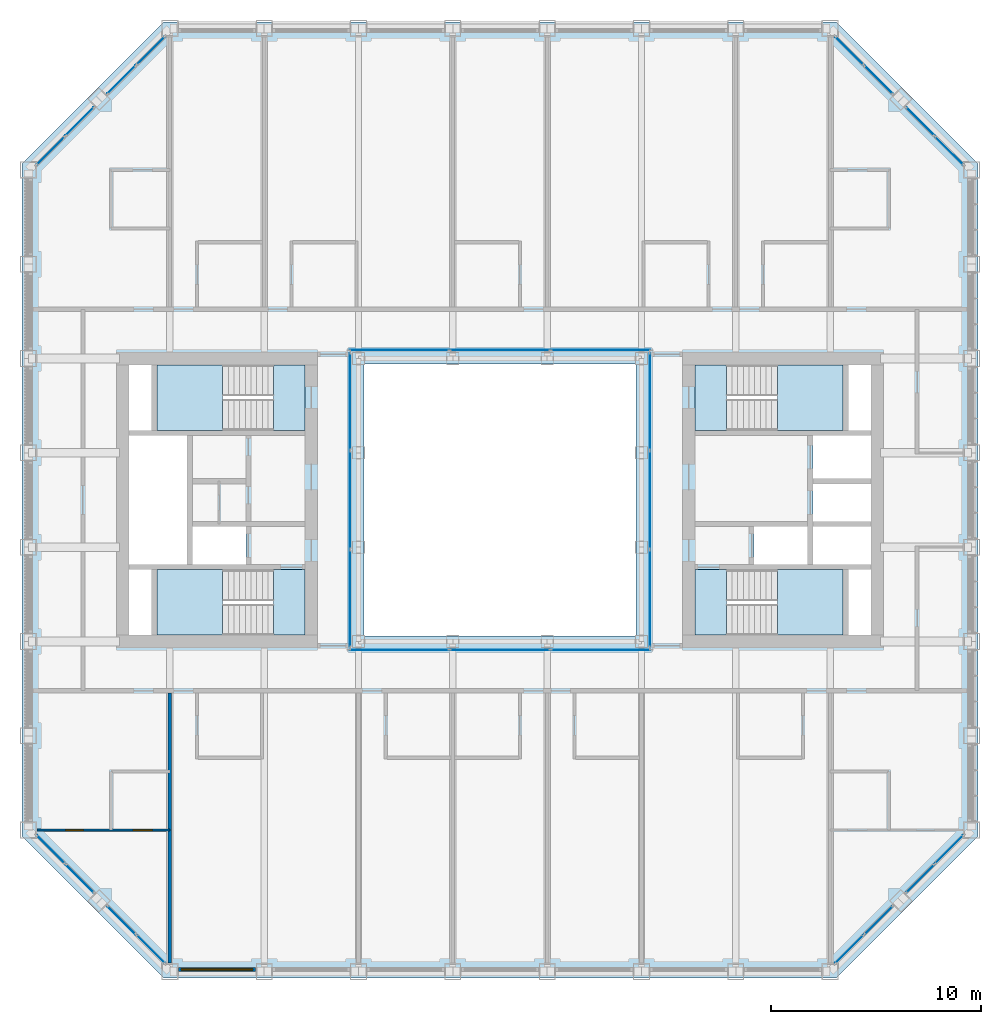
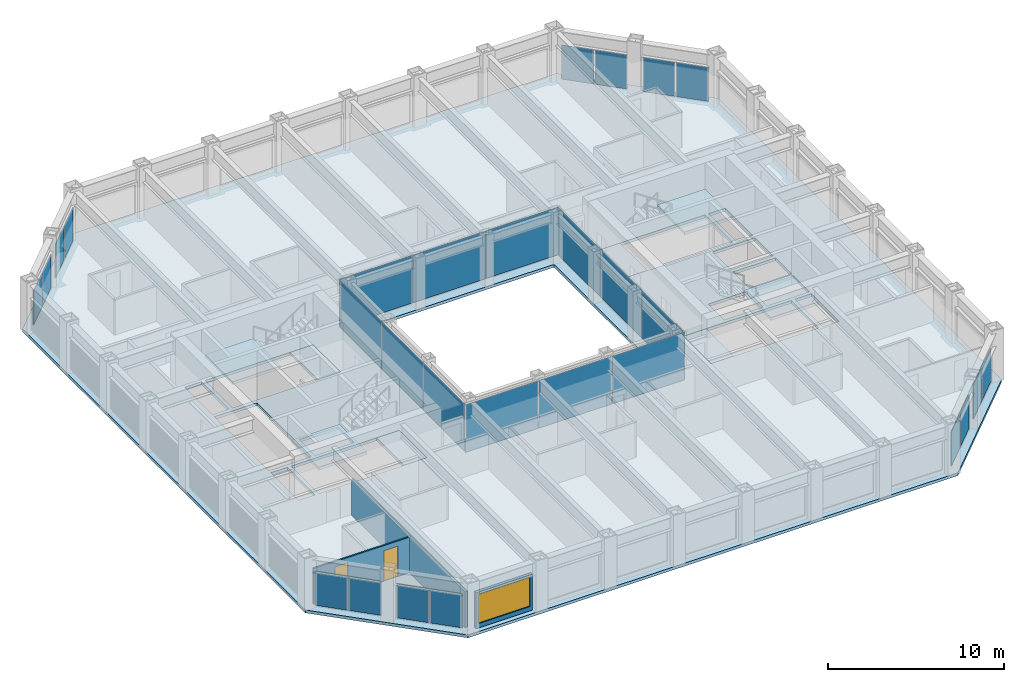
# One storey, part 9 of 17: 28 plates, 9 slabs, 3 walls, 2 doors, 1 window, 3 openings, 16 elements without a shape of their own.
"""IFC4 building model written with IfcOpenShell, lengths in metres."""

from ifc_helpers import new_model, si_unit, direction, frame, frame_2d, origin, origin_2d, place, context, subcontext, project, spatial, polyline, rectangle, outline, extrude, material, layer, layer_set, type_object, element, fill, aggregate, save


model = new_model("IFC4")

# Units and contexts
model_context = context("Model", 3, precision=1e-05, world=origin(), true_north=direction((0.0, 1.0)))
body_context = subcontext(model_context, "Body", "Model", "MODEL_VIEW")
ifc_project = project(units=[si_unit("LENGTHUNIT", "METRE"), si_unit("AREAUNIT", "SQUARE_METRE"), si_unit("VOLUMEUNIT", "CUBIC_METRE"), si_unit("PLANEANGLEUNIT", "RADIAN"), si_unit("MASSUNIT", "GRAM", prefix="KILO")], contexts=[model_context])

# Site, building, storey
site_placement = place(None, origin())
site = spatial("IfcSite", under=ifc_project, at=site_placement, CompositionType="ELEMENT")
building_placement = place(site_placement, origin())
building = spatial("IfcBuilding", under=site, at=building_placement, Name="Msasa Ring Tower", CompositionType="ELEMENT")
storey_placement = place(building_placement, frame((0.0, 0.0, 158.0)))
storey = spatial("IfcBuildingStorey", under=building, at=storey_placement, Name="L41", CompositionType="ELEMENT", Elevation=158.0)

# Curtain wall, plates
ifc_material_1 = material(Name="Aluminium curtain wall with clear glass", Category="aluminium")
curtain_wall_type_1 = type_object("IfcCurtainWallType", Name="CW-C CHAMFER CORNER CURTAIN WALL", PredefinedType="NOTDEFINED", material=ifc_material_1)
curtain_wall_1_placement = place(storey_placement, origin())
curtain_wall_1 = element("IfcCurtainWall", 1, at=curtain_wall_1_placement, inside=storey, type_object=curtain_wall_type_1, Name="Chamfer corner curtain wall SE L41", PredefinedType="NOTDEFINED")
ifc_material_2 = material(Name="Clear laminated insulating glass unit", Category="glass")
ifc_layer_1 = layer(ifc_material_2, 0.031982421875)
ifc_layer_set_1 = layer_set([ifc_layer_1], Name="CW-C GLASS PANEL 32")
plate_type_1 = type_object("IfcPlateType", Name="CW-C GLASS PANEL 32", PredefinedType="CURTAIN_PANEL", material=ifc_layer_set_1)
plate_1_placement = place(storey_placement, frame((16.677734375, -21.430908203125, 0.06494140625), z_axis=(0.0, 0.0, 1.0), x_axis=(0.707106781187, 0.707106781187, 0.0)))
plate_1 = element("IfcPlate", 2, at=plate_1_placement, type_object=plate_type_1, Name="CW-C panel 1.1", PredefinedType="CURTAIN_PANEL", context=body_context, shape_type="SweptSolid", body=[
    extrude(rectangle(XDim=1.884033203125, YDim=0.031982421875, at=origin_2d()), origin(), (0.0, 0.0, 1.0), 2.34912109375),
])
plate_2_placement = place(storey_placement, frame((18.055908203125, -20.052734375, 0.06494140625), z_axis=(0.0, 0.0, 1.0), x_axis=(0.707106781187, 0.707106781187, 0.0)))
plate_2 = element("IfcPlate", 3, at=plate_2_placement, type_object=plate_type_1, Name="CW-C panel 2.1", PredefinedType="CURTAIN_PANEL", context=body_context, shape_type="SweptSolid", body=[
    extrude(rectangle(XDim=1.884033203125, YDim=0.031982421875, at=origin_2d()), origin(), (0.0, 0.0, 1.0), 2.34912109375),
])
aggregate(curtain_wall_1, [plate_1, plate_2])

curtain_wall_2_placement = place(storey_placement, origin())
curtain_wall_2 = element("IfcCurtainWall", 4, at=curtain_wall_2_placement, inside=storey, type_object=curtain_wall_type_1, Name="Chamfer corner curtain wall SE L41", PredefinedType="NOTDEFINED")
plate_3_placement = place(storey_placement, frame((20.052734375, -18.055908203125, 0.06494140625), z_axis=(0.0, 0.0, 1.0), x_axis=(0.707106781187, 0.707106781187, 0.0)))
plate_3 = element("IfcPlate", 5, at=plate_3_placement, type_object=plate_type_1, Name="CW-C panel 1.1", PredefinedType="CURTAIN_PANEL", context=body_context, shape_type="SweptSolid", body=[
    extrude(rectangle(XDim=1.884033203125, YDim=0.031982421875, at=origin_2d()), origin(), (0.0, 0.0, 1.0), 2.34912109375),
])
plate_4_placement = place(storey_placement, frame((21.430908203125, -16.677734375, 0.06494140625), z_axis=(0.0, 0.0, 1.0), x_axis=(0.707106781187, 0.707106781187, 0.0)))
plate_4 = element("IfcPlate", 6, at=plate_4_placement, type_object=plate_type_1, Name="CW-C panel 2.1", PredefinedType="CURTAIN_PANEL", context=body_context, shape_type="SweptSolid", body=[
    extrude(rectangle(XDim=1.884033203125, YDim=0.031982421875, at=origin_2d()), origin(), (0.0, 0.0, 1.0), 2.34912109375),
])
aggregate(curtain_wall_2, [plate_3, plate_4])

curtain_wall_3_placement = place(storey_placement, origin())
curtain_wall_3 = element("IfcCurtainWall", 7, at=curtain_wall_3_placement, inside=storey, type_object=curtain_wall_type_1, Name="Chamfer corner curtain wall NE L41", PredefinedType="NOTDEFINED")
plate_5_placement = place(storey_placement, frame((18.055908203125, 20.052734375, 0.06494140625), z_axis=(0.0, 0.0, 1.0), x_axis=(-0.707106781187, 0.707106781187, 0.0)))
plate_5 = element("IfcPlate", 8, at=plate_5_placement, type_object=plate_type_1, Name="CW-C panel 1.1", PredefinedType="CURTAIN_PANEL", context=body_context, shape_type="SweptSolid", body=[
    extrude(rectangle(XDim=1.884033203125, YDim=0.031982421875, at=origin_2d()), origin(), (0.0, 0.0, 1.0), 2.34912109375),
])
plate_6_placement = place(storey_placement, frame((16.677734375, 21.430908203125, 0.06494140625), z_axis=(0.0, 0.0, 1.0), x_axis=(-0.707106781187, 0.707106781187, 0.0)))
plate_6 = element("IfcPlate", 9, at=plate_6_placement, type_object=plate_type_1, Name="CW-C panel 2.1", PredefinedType="CURTAIN_PANEL", context=body_context, shape_type="SweptSolid", body=[
    extrude(rectangle(XDim=1.884033203125, YDim=0.031982421875, at=origin_2d()), origin(), (0.0, 0.0, 1.0), 2.34912109375),
])
aggregate(curtain_wall_3, [plate_5, plate_6])

curtain_wall_4_placement = place(storey_placement, origin())
curtain_wall_4 = element("IfcCurtainWall", 10, at=curtain_wall_4_placement, inside=storey, type_object=curtain_wall_type_1, Name="Chamfer corner curtain wall NE L41", PredefinedType="NOTDEFINED")
plate_7_placement = place(storey_placement, frame((21.430908203125, 16.677734375, 0.06494140625), z_axis=(0.0, 0.0, 1.0), x_axis=(-0.707106781187, 0.707106781187, 0.0)))
plate_7 = element("IfcPlate", 11, at=plate_7_placement, type_object=plate_type_1, Name="CW-C panel 1.1", PredefinedType="CURTAIN_PANEL", context=body_context, shape_type="SweptSolid", body=[
    extrude(rectangle(XDim=1.884033203125, YDim=0.031982421875, at=origin_2d()), origin(), (0.0, 0.0, 1.0), 2.34912109375),
])
plate_8_placement = place(storey_placement, frame((20.052734375, 18.055908203125, 0.06494140625), z_axis=(0.0, 0.0, 1.0), x_axis=(-0.707106781187, 0.707106781187, 0.0)))
plate_8 = element("IfcPlate", 12, at=plate_8_placement, type_object=plate_type_1, Name="CW-C panel 2.1", PredefinedType="CURTAIN_PANEL", context=body_context, shape_type="SweptSolid", body=[
    extrude(rectangle(XDim=1.884033203125, YDim=0.031982421875, at=origin_2d()), origin(), (0.0, 0.0, 1.0), 2.34912109375),
])
aggregate(curtain_wall_4, [plate_7, plate_8])

curtain_wall_5_placement = place(storey_placement, origin())
curtain_wall_5 = element("IfcCurtainWall", 13, at=curtain_wall_5_placement, inside=storey, type_object=curtain_wall_type_1, Name="Chamfer corner curtain wall NW L41", PredefinedType="NOTDEFINED")
plate_9_placement = place(storey_placement, frame((-20.052734375, 18.055908203125, 0.06494140625), z_axis=(0.0, 0.0, 1.0), x_axis=(-0.707106781187, -0.707106781187, 0.0)))
plate_9 = element("IfcPlate", 14, at=plate_9_placement, type_object=plate_type_1, Name="CW-C panel 1.1", PredefinedType="CURTAIN_PANEL", context=body_context, shape_type="SweptSolid", body=[
    extrude(rectangle(XDim=1.884033203125, YDim=0.031982421875, at=origin_2d()), origin(), (0.0, 0.0, 1.0), 2.34912109375),
])
plate_10_placement = place(storey_placement, frame((-21.430908203125, 16.677734375, 0.06494140625), z_axis=(0.0, 0.0, 1.0), x_axis=(-0.707106781187, -0.707106781187, 0.0)))
plate_10 = element("IfcPlate", 15, at=plate_10_placement, type_object=plate_type_1, Name="CW-C panel 2.1", PredefinedType="CURTAIN_PANEL", context=body_context, shape_type="SweptSolid", body=[
    extrude(rectangle(XDim=1.884033203125, YDim=0.031982421875, at=origin_2d()), origin(), (0.0, 0.0, 1.0), 2.34912109375),
])
aggregate(curtain_wall_5, [plate_9, plate_10])

curtain_wall_6_placement = place(storey_placement, origin())
curtain_wall_6 = element("IfcCurtainWall", 16, at=curtain_wall_6_placement, inside=storey, type_object=curtain_wall_type_1, Name="Chamfer corner curtain wall NW L41", PredefinedType="NOTDEFINED")
plate_11_placement = place(storey_placement, frame((-16.677734375, 21.430908203125, 0.06494140625), z_axis=(0.0, 0.0, 1.0), x_axis=(-0.707106781187, -0.707106781187, 0.0)))
plate_11 = element("IfcPlate", 17, at=plate_11_placement, type_object=plate_type_1, Name="CW-C panel 1.1", PredefinedType="CURTAIN_PANEL", context=body_context, shape_type="SweptSolid", body=[
    extrude(rectangle(XDim=1.884033203125, YDim=0.031982421875, at=origin_2d()), origin(), (0.0, 0.0, 1.0), 2.34912109375),
])
plate_12_placement = place(storey_placement, frame((-18.055908203125, 20.052734375, 0.06494140625), z_axis=(0.0, 0.0, 1.0), x_axis=(-0.707106781187, -0.707106781187, 0.0)))
plate_12 = element("IfcPlate", 18, at=plate_12_placement, type_object=plate_type_1, Name="CW-C panel 2.1", PredefinedType="CURTAIN_PANEL", context=body_context, shape_type="SweptSolid", body=[
    extrude(rectangle(XDim=1.884033203125, YDim=0.031982421875, at=origin_2d()), origin(), (0.0, 0.0, 1.0), 2.34912109375),
])
aggregate(curtain_wall_6, [plate_11, plate_12])

curtain_wall_7_placement = place(storey_placement, origin())
curtain_wall_7 = element("IfcCurtainWall", 19, at=curtain_wall_7_placement, inside=storey, type_object=curtain_wall_type_1, Name="Chamfer corner curtain wall SW L41", PredefinedType="NOTDEFINED")
plate_13_placement = place(storey_placement, frame((-21.430908203125, -16.677734375, 0.06494140625), z_axis=(0.0, 0.0, 1.0), x_axis=(0.707106781187, -0.707106781187, 0.0)))
plate_13 = element("IfcPlate", 20, at=plate_13_placement, type_object=plate_type_1, Name="CW-C panel 1.1", PredefinedType="CURTAIN_PANEL", context=body_context, shape_type="SweptSolid", body=[
    extrude(rectangle(XDim=1.884033203125, YDim=0.031982421875, at=origin_2d()), origin(), (0.0, 0.0, 1.0), 2.34912109375),
])
plate_14_placement = place(storey_placement, frame((-20.052734375, -18.055908203125, 0.06494140625), z_axis=(0.0, 0.0, 1.0), x_axis=(0.707106781187, -0.707106781187, 0.0)))
plate_14 = element("IfcPlate", 21, at=plate_14_placement, type_object=plate_type_1, Name="CW-C panel 2.1", PredefinedType="CURTAIN_PANEL", context=body_context, shape_type="SweptSolid", body=[
    extrude(rectangle(XDim=1.884033203125, YDim=0.031982421875, at=origin_2d()), origin(), (0.0, 0.0, 1.0), 2.34912109375),
])
aggregate(curtain_wall_7, [plate_13, plate_14])

curtain_wall_8_placement = place(storey_placement, origin())
curtain_wall_8 = element("IfcCurtainWall", 22, at=curtain_wall_8_placement, inside=storey, type_object=curtain_wall_type_1, Name="Chamfer corner curtain wall SW L41", PredefinedType="NOTDEFINED")
plate_15_placement = place(storey_placement, frame((-18.055908203125, -20.052734375, 0.06494140625), z_axis=(0.0, 0.0, 1.0), x_axis=(0.707106781187, -0.707106781187, 0.0)))
plate_15 = element("IfcPlate", 23, at=plate_15_placement, type_object=plate_type_1, Name="CW-C panel 1.1", PredefinedType="CURTAIN_PANEL", context=body_context, shape_type="SweptSolid", body=[
    extrude(rectangle(XDim=1.884033203125, YDim=0.031982421875, at=origin_2d()), origin(), (0.0, 0.0, 1.0), 2.34912109375),
])
plate_16_placement = place(storey_placement, frame((-16.677734375, -21.430908203125, 0.06494140625), z_axis=(0.0, 0.0, 1.0), x_axis=(0.707106781187, -0.707106781187, 0.0)))
plate_16 = element("IfcPlate", 24, at=plate_16_placement, type_object=plate_type_1, Name="CW-C panel 2.1", PredefinedType="CURTAIN_PANEL", context=body_context, shape_type="SweptSolid", body=[
    extrude(rectangle(XDim=1.884033203125, YDim=0.031982421875, at=origin_2d()), origin(), (0.0, 0.0, 1.0), 2.34912109375),
])
aggregate(curtain_wall_8, [plate_15, plate_16])

ifc_material_3 = material(Name="Aluminium curtain wall with clear glass", Category="aluminium")
curtain_wall_type_2 = type_object("IfcCurtainWallType", Name="CW-W LIGHT WELL CURTAIN WALL", PredefinedType="NOTDEFINED", material=ifc_material_3)
curtain_wall_9_placement = place(storey_placement, origin())
curtain_wall_9 = element("IfcCurtainWall", 25, at=curtain_wall_9_placement, inside=storey, type_object=curtain_wall_type_2, Name="Light well curtain wall N L41", PredefinedType="NOTDEFINED")
ifc_material_4 = material(Name="Clear laminated insulating glass unit", Category="glass")
ifc_layer_2 = layer(ifc_material_4, 0.028076171875)
ifc_layer_set_2 = layer_set([ifc_layer_2], Name="CW-W GLASS PANEL 28")
plate_type_2 = type_object("IfcPlateType", Name="CW-W GLASS PANEL 28", PredefinedType="CURTAIN_PANEL", material=ifc_layer_set_2)
plate_17_placement = place(storey_placement, frame((-4.804931640625, 7.14990234375, 0.06005859375), z_axis=(0.0, 0.0, 1.0), x_axis=(1.0, 0.0, 0.0)))
plate_17 = element("IfcPlate", 26, at=plate_17_placement, type_object=plate_type_2, Name="CW-W panel 1.1", PredefinedType="CURTAIN_PANEL", context=body_context, shape_type="SweptSolid", body=[
    extrude(rectangle(XDim=4.72998046875, YDim=0.028076171875, at=origin_2d()), origin(), (0.0, 0.0, 1.0), 3.280029296875),
])
plate_18_placement = place(storey_placement, frame((0.0, 7.14990234375, 0.06005859375), z_axis=(0.0, 0.0, 1.0), x_axis=(1.0, 0.0, 0.0)))
plate_18 = element("IfcPlate", 27, at=plate_18_placement, type_object=plate_type_2, Name="CW-W panel 2.1", PredefinedType="CURTAIN_PANEL", context=body_context, shape_type="SweptSolid", body=[
    extrude(rectangle(XDim=4.760009765625, YDim=0.028076171875, at=origin_2d()), origin(), (0.0, 0.0, 1.0), 3.280029296875),
])
plate_19_placement = place(storey_placement, frame((4.804931640625, 7.14990234375, 0.06005859375), z_axis=(0.0, 0.0, 1.0), x_axis=(1.0, 0.0, 0.0)))
plate_19 = element("IfcPlate", 28, at=plate_19_placement, type_object=plate_type_2, Name="CW-W panel 3.1", PredefinedType="CURTAIN_PANEL", context=body_context, shape_type="SweptSolid", body=[
    extrude(rectangle(XDim=4.72998046875, YDim=0.028076171875, at=origin_2d()), origin(), (0.0, 0.0, 1.0), 3.280029296875),
])
aggregate(curtain_wall_9, [plate_17, plate_18, plate_19])

curtain_wall_10_placement = place(storey_placement, origin())
curtain_wall_10 = element("IfcCurtainWall", 29, at=curtain_wall_10_placement, inside=storey, type_object=curtain_wall_type_2, Name="Light well curtain wall S L41", PredefinedType="NOTDEFINED")
plate_20_placement = place(storey_placement, frame((-4.804931640625, -7.14990234375, 0.06005859375), z_axis=(0.0, 0.0, 1.0), x_axis=(1.0, 0.0, 0.0)))
plate_20 = element("IfcPlate", 30, at=plate_20_placement, type_object=plate_type_2, Name="CW-W panel 1.1", PredefinedType="CURTAIN_PANEL", context=body_context, shape_type="SweptSolid", body=[
    extrude(rectangle(XDim=4.72998046875, YDim=0.028076171875, at=origin_2d()), origin(), (0.0, 0.0, 1.0), 3.280029296875),
])
plate_21_placement = place(storey_placement, frame((0.0, -7.14990234375, 0.06005859375), z_axis=(0.0, 0.0, 1.0), x_axis=(1.0, 0.0, 0.0)))
plate_21 = element("IfcPlate", 31, at=plate_21_placement, type_object=plate_type_2, Name="CW-W panel 2.1", PredefinedType="CURTAIN_PANEL", context=body_context, shape_type="SweptSolid", body=[
    extrude(rectangle(XDim=4.760009765625, YDim=0.028076171875, at=origin_2d()), origin(), (0.0, 0.0, 1.0), 3.280029296875),
])
plate_22_placement = place(storey_placement, frame((4.804931640625, -7.14990234375, 0.06005859375), z_axis=(0.0, 0.0, 1.0), x_axis=(1.0, 0.0, 0.0)))
plate_22 = element("IfcPlate", 32, at=plate_22_placement, type_object=plate_type_2, Name="CW-W panel 3.1", PredefinedType="CURTAIN_PANEL", context=body_context, shape_type="SweptSolid", body=[
    extrude(rectangle(XDim=4.72998046875, YDim=0.028076171875, at=origin_2d()), origin(), (0.0, 0.0, 1.0), 3.280029296875),
])
aggregate(curtain_wall_10, [plate_20, plate_21, plate_22])

curtain_wall_11_placement = place(storey_placement, origin())
curtain_wall_11 = element("IfcCurtainWall", 33, at=curtain_wall_11_placement, inside=storey, type_object=curtain_wall_type_2, Name="Light well curtain wall E L41", PredefinedType="NOTDEFINED")
plate_23_placement = place(storey_placement, frame((7.14990234375, -4.6982421875, 0.06005859375), z_axis=(0.0, 0.0, 1.0), x_axis=(0.0, 1.0, 0.0)))
plate_23 = element("IfcPlate", 34, at=plate_23_placement, type_object=plate_type_2, Name="CW-W panel 1.1", PredefinedType="CURTAIN_PANEL", context=body_context, shape_type="SweptSolid", body=[
    extrude(rectangle(XDim=4.623291015625, YDim=0.028076171875, at=origin_2d()), origin(), (0.0, 0.0, 1.0), 3.280029296875),
])
plate_24_placement = place(storey_placement, frame((7.14990234375, 0.0, 0.06005859375), z_axis=(0.0, 0.0, 1.0), x_axis=(0.0, 1.0, 0.0)))
plate_24 = element("IfcPlate", 35, at=plate_24_placement, type_object=plate_type_2, Name="CW-W panel 2.1", PredefinedType="CURTAIN_PANEL", context=body_context, shape_type="SweptSolid", body=[
    extrude(rectangle(XDim=4.6533203125, YDim=0.028076171875, at=origin_2d()), origin(), (0.0, 0.0, 1.0), 3.280029296875),
])
plate_25_placement = place(storey_placement, frame((7.14990234375, 4.6982421875, 0.06005859375), z_axis=(0.0, 0.0, 1.0), x_axis=(0.0, 1.0, 0.0)))
plate_25 = element("IfcPlate", 36, at=plate_25_placement, type_object=plate_type_2, Name="CW-W panel 3.1", PredefinedType="CURTAIN_PANEL", context=body_context, shape_type="SweptSolid", body=[
    extrude(rectangle(XDim=4.623291015625, YDim=0.028076171875, at=origin_2d()), origin(), (0.0, 0.0, 1.0), 3.280029296875),
])
aggregate(curtain_wall_11, [plate_23, plate_24, plate_25])

curtain_wall_12_placement = place(storey_placement, origin())
curtain_wall_12 = element("IfcCurtainWall", 37, at=curtain_wall_12_placement, inside=storey, type_object=curtain_wall_type_2, Name="Light well curtain wall W L41", PredefinedType="NOTDEFINED")
plate_26_placement = place(storey_placement, frame((-7.14990234375, -4.6982421875, 0.06005859375), z_axis=(0.0, 0.0, 1.0), x_axis=(0.0, 1.0, 0.0)))
plate_26 = element("IfcPlate", 38, at=plate_26_placement, type_object=plate_type_2, Name="CW-W panel 1.1", PredefinedType="CURTAIN_PANEL", context=body_context, shape_type="SweptSolid", body=[
    extrude(rectangle(XDim=4.623291015625, YDim=0.028076171875, at=origin_2d()), origin(), (0.0, 0.0, 1.0), 3.280029296875),
])
plate_27_placement = place(storey_placement, frame((-7.14990234375, 0.0, 0.06005859375), z_axis=(0.0, 0.0, 1.0), x_axis=(0.0, 1.0, 0.0)))
plate_27 = element("IfcPlate", 39, at=plate_27_placement, type_object=plate_type_2, Name="CW-W panel 2.1", PredefinedType="CURTAIN_PANEL", context=body_context, shape_type="SweptSolid", body=[
    extrude(rectangle(XDim=4.6533203125, YDim=0.028076171875, at=origin_2d()), origin(), (0.0, 0.0, 1.0), 3.280029296875),
])
plate_28_placement = place(storey_placement, frame((-7.14990234375, 4.6982421875, 0.06005859375), z_axis=(0.0, 0.0, 1.0), x_axis=(0.0, 1.0, 0.0)))
plate_28 = element("IfcPlate", 40, at=plate_28_placement, type_object=plate_type_2, Name="CW-W panel 3.1", PredefinedType="CURTAIN_PANEL", context=body_context, shape_type="SweptSolid", body=[
    extrude(rectangle(XDim=4.623291015625, YDim=0.028076171875, at=origin_2d()), origin(), (0.0, 0.0, 1.0), 3.280029296875),
])
aggregate(curtain_wall_12, [plate_26, plate_27, plate_28])

# Stair, slabs
ifc_material_5 = material(Name="Concrete C40/50", Category="concrete")
stair_type = type_object("IfcStairType", Name="STC CORE STAIR 20 RISERS 180", PredefinedType="HALF_TURN_STAIR", material=ifc_material_5)
stair_1_placement = place(storey_placement, origin())
stair_1 = element("IfcStair", 41, at=stair_1_placement, inside=storey, type_object=stair_type, Name="Core stair SEA L41", PredefinedType="HALF_TURN_STAIR")
ifc_material_6 = material(Name="Concrete C40/50", Category="concrete")
ifc_layer_3 = layer(ifc_material_6, 0.199951171875)
ifc_layer_set_3 = layer_set([ifc_layer_3], Name="LD1 CORE STAIR LANDING 200")
slab_type_1 = type_object("IfcSlabType", Name="LD1 CORE STAIR LANDING 200", PredefinedType="LANDING", material=ifc_layer_set_3)
slab_1_placement = place(storey_placement, frame((0.0, 0.0, -0.199951171875)))
slab_1 = element("IfcSlab", 42, at=slab_1_placement, type_object=slab_type_1, Name="SEA landing 1", PredefinedType="LANDING", context=body_context, shape_type="SweptSolid", body=[
    extrude(outline(polyline([(9.300048828125, -6.449951171875), (10.800048828125, -6.449951171875), (10.800048828125, -3.324951171875), (9.300048828125, -3.324951171875), (9.300048828125, -6.449951171875)])), origin(), (0.0, 0.0, 1.0), 0.199951171875),
])
slab_2_placement = place(storey_placement, frame((0.0, 0.0, 1.60009765625)))
slab_2 = element("IfcSlab", 43, at=slab_2_placement, type_object=slab_type_1, Name="SEA landing 2", PredefinedType="LANDING", context=body_context, shape_type="SweptSolid", body=[
    extrude(outline(polyline([(13.22998046875, -6.449951171875), (16.375, -6.449951171875), (16.375, -3.324951171875), (13.22998046875, -3.324951171875), (13.22998046875, -6.449951171875)])), origin(), (0.0, 0.0, 1.0), 0.199951171875),
])
aggregate(stair_1, [slab_1, slab_2])

stair_2_placement = place(storey_placement, origin())
stair_2 = element("IfcStair", 44, at=stair_2_placement, inside=storey, type_object=stair_type, Name="Core stair SEB L41", PredefinedType="HALF_TURN_STAIR")
slab_3_placement = place(storey_placement, frame((0.0, 0.0, -0.199951171875)))
slab_3 = element("IfcSlab", 45, at=slab_3_placement, type_object=slab_type_1, Name="SEB landing 1", PredefinedType="LANDING", context=body_context, shape_type="SweptSolid", body=[
    extrude(outline(polyline([(9.300048828125, 3.324951171875), (10.800048828125, 3.324951171875), (10.800048828125, 6.449951171875), (9.300048828125, 6.449951171875), (9.300048828125, 3.324951171875)])), origin(), (0.0, 0.0, 1.0), 0.199951171875),
])
slab_4_placement = place(storey_placement, frame((0.0, 0.0, 1.60009765625)))
slab_4 = element("IfcSlab", 46, at=slab_4_placement, type_object=slab_type_1, Name="SEB landing 2", PredefinedType="LANDING", context=body_context, shape_type="SweptSolid", body=[
    extrude(outline(polyline([(13.22998046875, 3.324951171875), (16.375, 3.324951171875), (16.375, 6.449951171875), (13.22998046875, 6.449951171875), (13.22998046875, 3.324951171875)])), origin(), (0.0, 0.0, 1.0), 0.199951171875),
])
aggregate(stair_2, [slab_3, slab_4])

stair_3_placement = place(storey_placement, origin())
stair_3 = element("IfcStair", 47, at=stair_3_placement, inside=storey, type_object=stair_type, Name="Core stair SWA L41", PredefinedType="HALF_TURN_STAIR")
slab_5_placement = place(storey_placement, frame((0.0, 0.0, -0.199951171875)))
slab_5 = element("IfcSlab", 48, at=slab_5_placement, type_object=slab_type_1, Name="SWA landing 1", PredefinedType="LANDING", context=body_context, shape_type="SweptSolid", body=[
    extrude(outline(polyline([(-10.800048828125, -6.449951171875), (-9.300048828125, -6.449951171875), (-9.300048828125, -3.324951171875), (-10.800048828125, -3.324951171875), (-10.800048828125, -6.449951171875)])), origin(), (0.0, 0.0, 1.0), 0.199951171875),
])
slab_6_placement = place(storey_placement, frame((0.0, 0.0, 1.60009765625)))
slab_6 = element("IfcSlab", 49, at=slab_6_placement, type_object=slab_type_1, Name="SWA landing 2", PredefinedType="LANDING", context=body_context, shape_type="SweptSolid", body=[
    extrude(outline(polyline([(-16.375, -6.449951171875), (-13.22998046875, -6.449951171875), (-13.22998046875, -3.324951171875), (-16.375, -3.324951171875), (-16.375, -6.449951171875)])), origin(), (0.0, 0.0, 1.0), 0.199951171875),
])
aggregate(stair_3, [slab_5, slab_6])

stair_4_placement = place(storey_placement, origin())
stair_4 = element("IfcStair", 50, at=stair_4_placement, inside=storey, type_object=stair_type, Name="Core stair SWB L41", PredefinedType="HALF_TURN_STAIR")
slab_7_placement = place(storey_placement, frame((0.0, 0.0, -0.199951171875)))
slab_7 = element("IfcSlab", 51, at=slab_7_placement, type_object=slab_type_1, Name="SWB landing 1", PredefinedType="LANDING", context=body_context, shape_type="SweptSolid", body=[
    extrude(outline(polyline([(-10.800048828125, 3.324951171875), (-9.300048828125, 3.324951171875), (-9.300048828125, 6.449951171875), (-10.800048828125, 6.449951171875), (-10.800048828125, 3.324951171875)])), origin(), (0.0, 0.0, 1.0), 0.199951171875),
])
slab_8_placement = place(storey_placement, frame((0.0, 0.0, 1.60009765625)))
slab_8 = element("IfcSlab", 52, at=slab_8_placement, type_object=slab_type_1, Name="SWB landing 2", PredefinedType="LANDING", context=body_context, shape_type="SweptSolid", body=[
    extrude(outline(polyline([(-16.375, 3.324951171875), (-13.22998046875, 3.324951171875), (-13.22998046875, 6.449951171875), (-16.375, 6.449951171875), (-16.375, 3.324951171875)])), origin(), (0.0, 0.0, 1.0), 0.199951171875),
])
aggregate(stair_4, [slab_7, slab_8])

# Slab
ifc_material_7 = material(Name="Concrete C40/50", Category="concrete")
ifc_layer_4 = layer(ifc_material_7, 0.199951171875)
ifc_layer_set_4 = layer_set([ifc_layer_4], Name="S6 GUEST FLOOR 200")
slab_type_2 = type_object("IfcSlabType", Name="S6 GUEST FLOOR 200", PredefinedType="FLOOR", material=ifc_layer_set_4)
slab_9_placement = place(storey_placement, frame((0.0, 0.0, -0.199951171875)))
element("IfcSlab", 53, at=slab_9_placement, inside=storey, type_object=slab_type_2, Name="Floor slab L41", PredefinedType="FLOOR", context=body_context, shape_type="SweptSolid", body=[
    extrude(outline(polyline([(-16.050048828125, -22.800048828125), (16.050048828125, -22.800048828125), (22.800048828125, -16.050048828125), (22.800048828125, 16.050048828125), (16.050048828125, 22.800048828125), (-16.050048828125, 22.800048828125), (-22.800048828125, 16.050048828125), (-22.800048828125, -16.050048828125), (-16.050048828125, -22.800048828125)]), holes=[polyline([(-6.5, -6.5), (6.5, -6.5), (6.5, 6.5), (-6.5, 6.5), (-6.5, -6.5)]), polyline([(9.300048828125, -6.449951171875), (16.375, -6.449951171875), (16.375, -3.324951171875), (9.300048828125, -3.324951171875), (9.300048828125, -6.449951171875)]), polyline([(9.300048828125, 3.324951171875), (16.375, 3.324951171875), (16.375, 6.449951171875), (9.300048828125, 6.449951171875), (9.300048828125, 3.324951171875)]), polyline([(12.125, -3.074951171875), (14.675048828125, -3.074951171875), (14.675048828125, -1.27490234375), (12.125, -1.27490234375), (12.125, -3.074951171875)]), polyline([(16.625, -6.449951171875), (17.699951171875, -6.449951171875), (17.699951171875, -3.324951171875), (16.625, -3.324951171875), (16.625, -6.449951171875)]), polyline([(16.625, 3.324951171875), (17.699951171875, 3.324951171875), (17.699951171875, 6.449951171875), (16.625, 6.449951171875), (16.625, 3.324951171875)]), polyline([(14.925048828125, -3.074951171875), (17.699951171875, -3.074951171875), (17.699951171875, -1.27490234375), (14.925048828125, -1.27490234375), (14.925048828125, -3.074951171875)]), polyline([(14.925048828125, -1.02490234375), (17.699951171875, -1.02490234375), (17.699951171875, 0.77490234375), (14.925048828125, 0.77490234375), (14.925048828125, -1.02490234375)]), polyline([(14.925048828125, 1.02490234375), (17.699951171875, 1.02490234375), (17.699951171875, 3.074951171875), (14.925048828125, 3.074951171875), (14.925048828125, 1.02490234375)]), polyline([(-16.375, -6.449951171875), (-9.300048828125, -6.449951171875), (-9.300048828125, -3.324951171875), (-16.375, -3.324951171875), (-16.375, -6.449951171875)]), polyline([(-16.375, 3.324951171875), (-9.300048828125, 3.324951171875), (-9.300048828125, 6.449951171875), (-16.375, 6.449951171875), (-16.375, 3.324951171875)]), polyline([(-14.675048828125, -3.074951171875), (-12.125, -3.074951171875), (-12.125, -1.27490234375), (-14.675048828125, -1.27490234375), (-14.675048828125, -3.074951171875)]), polyline([(-17.699951171875, -6.449951171875), (-16.625, -6.449951171875), (-16.625, -3.324951171875), (-17.699951171875, -3.324951171875), (-17.699951171875, -6.449951171875)]), polyline([(-17.699951171875, 3.324951171875), (-16.625, 3.324951171875), (-16.625, 6.449951171875), (-17.699951171875, 6.449951171875), (-17.699951171875, 3.324951171875)]), polyline([(-17.699951171875, -3.074951171875), (-14.925048828125, -3.074951171875), (-14.925048828125, 3.074951171875), (-17.699951171875, 3.074951171875), (-17.699951171875, -3.074951171875)])]), origin(), (0.0, 0.0, 1.0), 0.199951171875),
])

# Wall, opening, window
ifc_material_8 = material(Name="Terracotta rainscreen on blockwork", Category="masonry")
ifc_layer_5 = layer(ifc_material_8, 0.199951171875)
ifc_layer_set_5 = layer_set([ifc_layer_5], Name="FW1 TERRACOTTA-LINED INFILL BAY WALL 200")
wall_type_1 = type_object("IfcWallType", Name="FW1 TERRACOTTA-LINED INFILL BAY WALL 200", PredefinedType="SOLIDWALL", material=ifc_layer_set_5)
wall_1_placement = place(storey_placement, frame((-15.344970703125, -22.39990234375, 0.0), z_axis=(0.0, 0.0, 1.0), x_axis=(1.0, 0.0, 0.0)))
wall_1 = element("IfcWall", 54, at=wall_1_placement, inside=storey, type_object=wall_type_1, Name="Infill bay wall S L41 00", PredefinedType="SOLIDWALL", context=body_context, shape_type="SweptSolid", body=[
    extrude(rectangle(XDim=3.68994140625, YDim=0.199951171875, at=frame_2d((1.844970703125, 0.0))), origin(), (0.0, 0.0, 1.0), 2.47900390625),
])
opening_1_placement = place(wall_1_placement, frame((0.14501953125, 0.0, 0.300048828125)))
opening_1 = element("IfcOpeningElement", 55, at=opening_1_placement, cuts=wall_1, Name="Opening WN2", PredefinedType="OPENING", context=body_context, shape_type="SweptSolid", body=[
    extrude(rectangle(XDim=3.39990234375, YDim=2.029052734375, at=frame_2d((1.699951171875, 1.0146484375))), frame((0.0, 0.10986328125, 0.0), z_axis=(0.0, -1.0, 0.0), x_axis=(1.0, 0.0, 0.0)), (0.0, 0.0, 1.0), 0.219970703125),
])
ifc_material_9 = material(Name="Aluminium frame with clear glass", Category="aluminium")
window_type = type_object("IfcWindowType", Name="WN2 GUEST ROOM WINDOW 3400x2029", PartitioningType="SINGLE_PANEL", PredefinedType="WINDOW", material=ifc_material_9)
window_placement = place(opening_1_placement, origin())
window = element("IfcWindow", 56, at=window_placement, inside=storey, type_object=window_type, Name="Window S L41 00", OverallHeight=2.029052734375, OverallWidth=3.39990234375, PartitioningType="SINGLE_PANEL", PredefinedType="WINDOW", context=body_context, shape_type="SweptSolid", body=[
    extrude(rectangle(XDim=3.39990234375, YDim=2.029052734375, at=frame_2d((1.699951171875, 1.0146484375))), frame((0.0, 0.030029296875, 0.0), z_axis=(0.0, -1.0, 0.0), x_axis=(1.0, 0.0, 0.0)), (0.0, 0.0, 1.0), 0.06005859375),
])
fill(opening_1, window)

# Wall, openings, doors
ifc_material_10 = material(Name="Gypsum board on steel studs", Category="steel")
ifc_layer_6 = layer(ifc_material_10, 0.10009765625)
ifc_layer_set_6 = layer_set([ifc_layer_6], Name="PT2 STUD PARTITION 100")
wall_type_2 = type_object("IfcWallType", Name="PT2 STUD PARTITION 100", PredefinedType="PARTITIONING", material=ifc_layer_set_6)
wall_2_placement = place(storey_placement, frame((-22.10009765625, -15.75, 0.0), z_axis=(0.0, 0.0, 1.0), x_axis=(1.0, 0.0, 0.0)))
wall_2 = element("IfcWall", 57, at=wall_2_placement, inside=storey, type_object=wall_type_2, Name="Partition L41-CSSWX", PredefinedType="PARTITIONING", context=body_context, shape_type="SweptSolid", body=[
    extrude(rectangle(XDim=6.35009765625, YDim=0.10009765625, at=frame_2d((3.175048828125, 0.0))), origin(), (0.0, 0.0, 1.0), 2.473388671875),
])
opening_2_placement = place(wall_2_placement, frame((1.375, 0.0, 0.0)))
opening_2 = element("IfcOpeningElement", 58, at=opening_2_placement, cuts=wall_2, Name="Opening HD-045", PredefinedType="OPENING", context=body_context, shape_type="SweptSolid", body=[
    extrude(rectangle(XDim=0.85009765625, YDim=2.10009765625, at=frame_2d((0.425048828125, 1.050048828125))), frame((0.0, 0.06005859375, 0.0), z_axis=(0.0, -1.0, 0.0), x_axis=(1.0, 0.0, 0.0)), (0.0, 0.0, 1.0), 0.1201171875),
])
opening_3_placement = place(wall_2_placement, frame((4.60009765625, 0.0, 0.0)))
opening_3 = element("IfcOpeningElement", 59, at=opening_3_placement, cuts=wall_2, Name="Opening HD-046", PredefinedType="OPENING", context=body_context, shape_type="SweptSolid", body=[
    extrude(rectangle(XDim=0.89990234375, YDim=2.10009765625, at=frame_2d((0.449951171875, 1.050048828125))), frame((0.0, 0.06005859375, 0.0), z_axis=(0.0, -1.0, 0.0), x_axis=(1.0, 0.0, 0.0)), (0.0, 0.0, 1.0), 0.1201171875),
])
ifc_material_11 = material(Name="Timber door leaf in a steel frame", Category="steel")
door_type_1 = type_object("IfcDoorType", Name="D14 BEDROOM DOOR 850x2100", OperationType="SINGLE_SWING_LEFT", PredefinedType="DOOR", material=ifc_material_11)
door_1_placement = place(opening_2_placement, origin())
door_1 = element("IfcDoor", 60, at=door_1_placement, inside=storey, type_object=door_type_1, Name="Door L41-CSSWR1", OperationType="SINGLE_SWING_LEFT", OverallHeight=2.10009765625, OverallWidth=0.85009765625, PredefinedType="DOOR", context=body_context, shape_type="SweptSolid", body=[
    extrude(rectangle(XDim=0.85009765625, YDim=2.10009765625, at=frame_2d((0.425048828125, 1.050048828125))), frame((0.0, 0.02490234375, 0.0), z_axis=(0.0, -1.0, 0.0), x_axis=(1.0, 0.0, 0.0)), (0.0, 0.0, 1.0), 0.050048828125),
])
fill(opening_2, door_1)
ifc_material_12 = material(Name="Timber door leaf in a steel frame", Category="steel")
door_type_2 = type_object("IfcDoorType", Name="D3 BATHROOM DOOR 900x2100", OperationType="SINGLE_SWING_LEFT", PredefinedType="DOOR", material=ifc_material_12)
door_2_placement = place(opening_3_placement, origin())
door_2 = element("IfcDoor", 61, at=door_2_placement, inside=storey, type_object=door_type_2, Name="Door L41-CSSWB1", OperationType="SINGLE_SWING_RIGHT", OverallHeight=2.10009765625, OverallWidth=0.89990234375, PredefinedType="DOOR", context=body_context, shape_type="SweptSolid", body=[
    extrude(rectangle(XDim=0.89990234375, YDim=2.10009765625, at=frame_2d((0.449951171875, 1.050048828125))), frame((0.0, 0.02490234375, 0.0), z_axis=(0.0, -1.0, 0.0), x_axis=(1.0, 0.0, 0.0)), (0.0, 0.0, 1.0), 0.050048828125),
])
fill(opening_3, door_2)

# Wall
ifc_material_13 = material(Name="Twin steel studs, two layers of acoustic board each face, mineral wool", Category="steel")
ifc_layer_7 = layer(ifc_material_13, 0.175048828125)
ifc_layer_set_7 = layer_set([ifc_layer_7], Name="PT5 GUEST ROOM SEPARATING WALL 175")
wall_type_3 = type_object("IfcWallType", Name="PT5 GUEST ROOM SEPARATING WALL 175", PredefinedType="PARTITIONING", material=ifc_layer_set_7)
wall_3_placement = place(storey_placement, frame((-15.75, -22.10009765625, 0.0), z_axis=(0.0, 0.0, 1.0), x_axis=(0.0, 1.0, 0.0)))
element("IfcWall", 62, at=wall_3_placement, inside=storey, type_object=wall_type_3, Name="Partition L41-PWS-15.75", PredefinedType="PARTITIONING", context=body_context, shape_type="SweptSolid", body=[
    extrude(rectangle(XDim=12.900146484375, YDim=0.175048828125, at=frame_2d((6.4501953125, 0.0))), origin(), (0.0, 0.0, 1.0), 2.473388671875),
])

save(model, "model.ifc")
